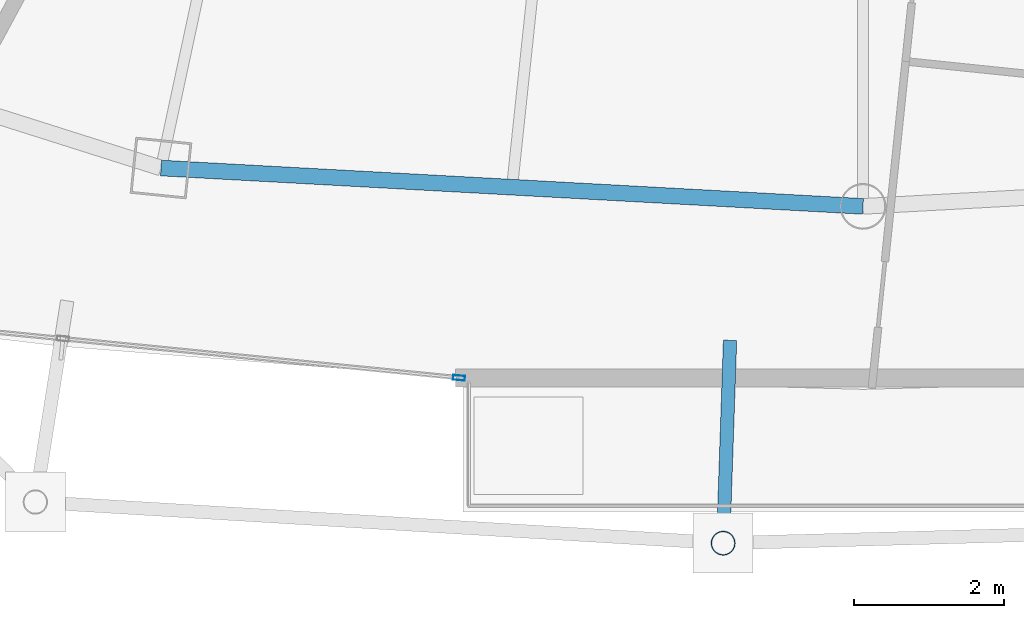
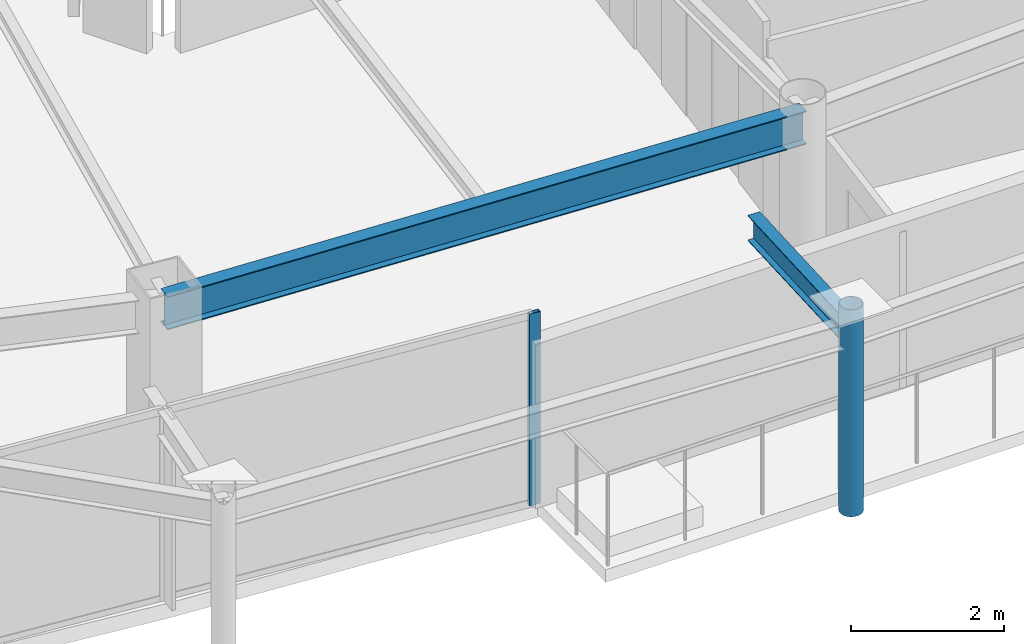
# One storey, part 8 of 34: 2 beams, 2 members, 1 element without a shape of its own.
"""IFC4 building model written with IfcOpenShell, lengths in metres."""

from ifc_helpers import new_model, si_unit, direction, frame, origin, origin_2d, place, context, subcontext, project, spatial, hollow_rectangle, hollow_circle, i_section, extrude, material, layer, layer_set, material_profile, profile_set, type_object, element, aggregate, save


model = new_model("IFC4")

# Units and contexts
model_context = context("Model", 3, precision=1e-05, world=origin(), true_north=direction((0.0, 1.0)))
body_context = subcontext(model_context, "Body", "Model", "MODEL_VIEW")
ifc_project = project(units=[si_unit("LENGTHUNIT", "METRE"), si_unit("AREAUNIT", "SQUARE_METRE"), si_unit("VOLUMEUNIT", "CUBIC_METRE"), si_unit("PLANEANGLEUNIT", "RADIAN"), si_unit("MASSUNIT", "GRAM", prefix="KILO")], contexts=[model_context])

# Site, building, storey
site_placement = place(None, origin())
site = spatial("IfcSite", under=ifc_project, at=site_placement, CompositionType="ELEMENT")
building_placement = place(site_placement, origin())
building = spatial("IfcBuilding", under=site, at=building_placement, Name="Orvanel Arch Residences", CompositionType="ELEMENT")
storey_placement = place(building_placement, frame((0.0, 0.0, 203.0)))
storey = spatial("IfcBuildingStorey", under=building, at=storey_placement, Name="L57", CompositionType="ELEMENT", Elevation=203.0)

# Curtain wall, member
ifc_material_1 = material(Name="Bronze-anodised aluminium AA6063-T6", Category="aluminium")
ifc_layer = layer(ifc_material_1, 0.175048828125)
ifc_layer_set = layer_set([ifc_layer], Name="Bronze-anodised aluminium AA6063-T6")
curtain_wall_type = type_object("IfcCurtainWallType", Name="CW4-HI-SYS", PredefinedType="NOTDEFINED", material=ifc_layer_set)
curtain_wall_placement = place(storey_placement, origin())
curtain_wall = element("IfcCurtainWall", 1, at=curtain_wall_placement, inside=storey, type_object=curtain_wall_type, Name="L57 CW4-HI-SYS Unitised Curtain Wall", PredefinedType="NOTDEFINED")
ifc_material_profile_1 = material_profile(ifc_material_1, hollow_rectangle(XDim=0.06494140625, YDim=0.159912109375, WallThickness=0.00390625, at=origin_2d()), Name="ALU160x65x4")
ifc_profile_set_1 = profile_set([ifc_material_profile_1], Name="Bronze-anodised aluminium AA6063-T6")
member_type_1 = type_object("IfcMemberType", Name="MUL-160x65", PredefinedType="MULLION", material=ifc_profile_set_1)
member_1_placement = place(storey_placement, frame((27.61865234375, 4.560302734375, 0.0), z_axis=(0.0, 0.0, 1.0), x_axis=(0.098417861591, 0.99514517761, 0.0)))
member_1 = element("IfcMember", 2, at=member_1_placement, type_object=member_type_1, Name="CW-S4 mullion 3", PredefinedType="MULLION", context=body_context, shape_type="SweptSolid", body=[
    extrude(hollow_rectangle(XDim=0.06494140625, YDim=0.159912109375, WallThickness=0.00390625, at=origin_2d()), origin(), (0.0, 0.0, 1.0), 3.06005859375),
])
aggregate(curtain_wall, [member_1])

# Beams
ifc_material_2 = material(Name="Structural steel AS/NZS 3679.1 Grade 300 (300 MPa)", Category="steel")
ifc_material_profile_2 = material_profile(ifc_material_2, i_section(OverallWidth=0.177978515625, OverallDepth=0.406005859375, WebThickness=0.0078125, FlangeThickness=0.0126953125, at=origin_2d()), Name="410UB59.7")
ifc_profile_set_2 = profile_set([ifc_material_profile_2], Name="Structural steel AS/NZS 3679.1 Grade 300 (300 MPa)")
beam_type_1 = type_object("IfcBeamType", Name="OB-410UB-EXT", PredefinedType="SPANDREL", material=ifc_profile_set_2)
beam_1_placement = place(storey_placement, frame((31.22900390625, 5.06005859375, 2.85693359375), z_axis=(-0.034042418379, -0.999420388901, 0.0), x_axis=(0.999420388901, -0.034042418379, 0.0)))
element("IfcBeam", 3, at=beam_1_placement, inside=storey, type_object=beam_type_1, Name="L57 Outer Frame Radial Tie Beam 06", PredefinedType="SPANDREL", context=body_context, shape_type="SweptSolid", body=[
    extrude(i_section(OverallWidth=0.177978515625, OverallDepth=0.406005859375, WebThickness=0.0078125, FlangeThickness=0.0126953125, at=origin_2d()), origin(), (0.0, 0.0, 1.0), 2.70361328125),
])
ifc_material_profile_3 = material_profile(ifc_material_2, i_section(OverallWidth=0.208984375, OverallDepth=0.532958984375, WebThickness=0.01025390625, FlangeThickness=0.015625, at=origin_2d()), Name="530UB92.4")
ifc_profile_set_3 = profile_set([ifc_material_profile_3], Name="Structural steel AS/NZS 3679.1 Grade 300 (300 MPa)")
beam_type_2 = type_object("IfcBeamType", Name="SP-530UB", PredefinedType="SPANDREL", material=ifc_profile_set_3)
beam_2_placement = place(storey_placement, frame((23.64892578125, 7.35498046875, 2.79296875), z_axis=(0.998510315598, -0.054563262768, 0.0), x_axis=(0.054563262768, 0.998510315598, 0.0)))
element("IfcBeam", 4, at=beam_2_placement, inside=storey, type_object=beam_type_2, Name="L57 Perimeter Spandrel Beam 03", PredefinedType="SPANDREL", context=body_context, shape_type="SweptSolid", body=[
    extrude(i_section(OverallWidth=0.208984375, OverallDepth=0.532958984375, WebThickness=0.01025390625, FlangeThickness=0.015625, at=origin_2d()), origin(), (0.0, 0.0, 1.0), 9.364990234375),
])

# Member
ifc_material_3 = material(Name="Structural steel AS/NZS 1163 C350L0 (Grade 350)", Category="steel")
ifc_material_profile_4 = material_profile(ifc_material_3, hollow_circle(Radius=0.162109375, WallThickness=0.0126953125, at=origin_2d()), Name="CHS324x12.7")
ifc_profile_set_4 = profile_set([ifc_material_profile_4], Name="Structural steel AS/NZS 1163 C350L0 (Grade 350)")
member_type_2 = type_object("IfcMemberType", Name="ST-324CHS-EXT", PredefinedType="STRUT", material=ifc_profile_set_4)
member_2_placement = place(storey_placement, frame((31.136962890625, 2.35791015625, 0.0), z_axis=(0.0, 0.0, 1.0), x_axis=(1.0, 0.0, 0.0)))
element("IfcMember", 5, at=member_2_placement, inside=storey, type_object=member_type_2, Name="L57 Outer Perimeter Frame Post 06", PredefinedType="STRUT", context=body_context, shape_type="SweptSolid", body=[
    extrude(hollow_circle(Radius=0.162109375, WallThickness=0.0126953125, at=origin_2d()), origin(), (0.0, 0.0, 1.0), 3.300048828125),
])

save(model, "model.ifc")
